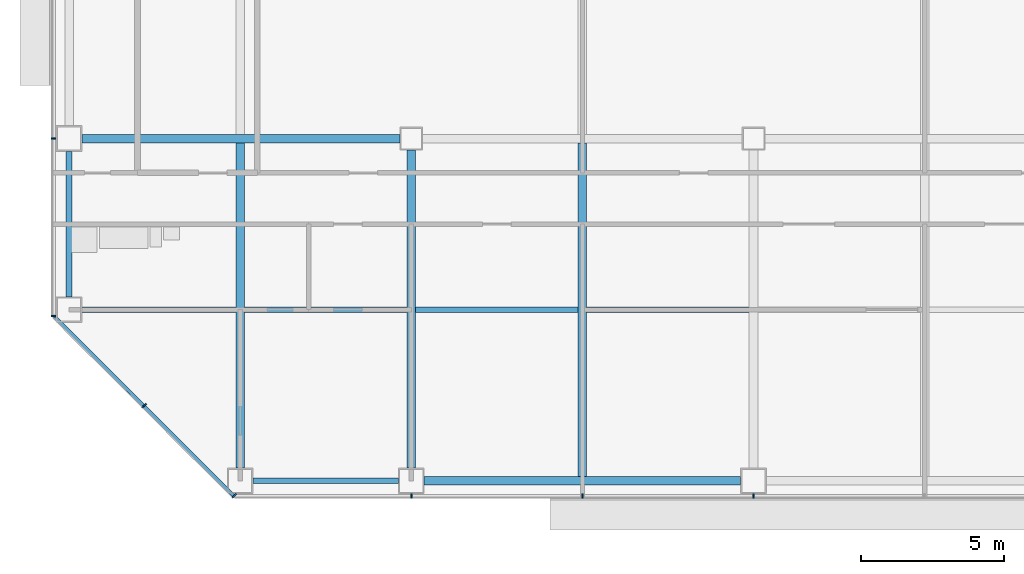
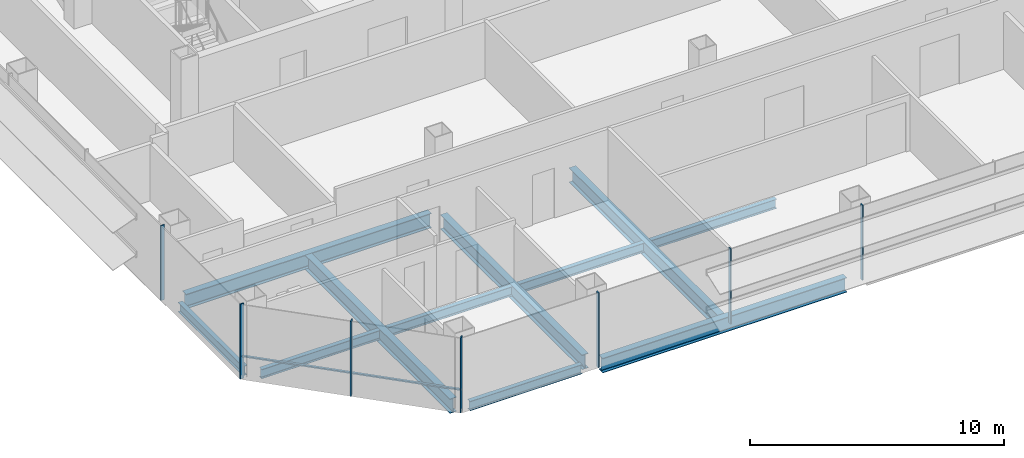
# One storey, part 2 of 27: 11 beams, 8 members, 3 elements without a shape of their own.
"""IFC4 building model written with IfcOpenShell, lengths in metres."""

from ifc_helpers import new_model, si_unit, direction, frame, origin, origin_2d, place, context, subcontext, project, spatial, rectangle, i_section, extrude, material, material_profile, profile_set, type_object, element, aggregate, save


model = new_model("IFC4")

# Units and contexts
model_context = context("Model", 3, precision=1e-05, world=origin(), true_north=direction((0.0, 1.0)))
body_context = subcontext(model_context, "Body", "Model", "MODEL_VIEW")
ifc_project = project(units=[si_unit("LENGTHUNIT", "METRE"), si_unit("AREAUNIT", "SQUARE_METRE"), si_unit("VOLUMEUNIT", "CUBIC_METRE"), si_unit("PLANEANGLEUNIT", "RADIAN"), si_unit("MASSUNIT", "GRAM", prefix="KILO")], contexts=[model_context])

# Site, building, storey
site_placement = place(None, origin())
site = spatial("IfcSite", under=ifc_project, at=site_placement, CompositionType="ELEMENT")
building_placement = place(site_placement, origin())
building = spatial("IfcBuilding", under=site, at=building_placement, Name="Sorahane Residences", CompositionType="ELEMENT")
storey_placement = place(building_placement, frame((0.0, 0.0, 57.0)))
storey = spatial("IfcBuildingStorey", under=building, at=storey_placement, Name="L10", CompositionType="ELEMENT", Elevation=57.0)

# Curtain wall, members
ifc_material_1 = material(Name="Dark low-e glass and black anodised aluminium", Category="aluminium")
curtain_wall_type_1 = type_object("IfcCurtainWallType", Name="Curtain wall CW-1 Typical unitised wall", PredefinedType="NOTDEFINED", material=ifc_material_1)
curtain_wall_1_placement = place(storey_placement, origin())
curtain_wall_1 = element("IfcCurtainWall", 1, at=curtain_wall_1_placement, inside=storey, type_object=curtain_wall_type_1, Name="CW-1 curtain wall L10 S1", PredefinedType="NOTDEFINED")
ifc_material_2 = material(Name="Black anodised aluminium", Category="aluminium")
ifc_material_profile_1 = material_profile(ifc_material_2, rectangle(XDim=0.159912109375, YDim=0.050048828125, at=origin_2d()), Name="Curtain wall mullion CW-1 black anodised aluminium 50x160")
ifc_profile_set_1 = profile_set([ifc_material_profile_1], Name="Black anodised aluminium")
member_type_1 = type_object("IfcMemberType", Name="Curtain wall mullion CW-1 black anodised aluminium 50x160", PredefinedType="MULLION", material=ifc_profile_set_1)
member_1_placement = place(storey_placement, frame((12.0, -0.5400390625, -0.179931640625), z_axis=(0.0, 0.0, 1.0), x_axis=(0.0, -1.0, 0.0)))
member_1 = element("IfcMember", 2, at=member_1_placement, type_object=member_type_1, Name="CW-1 mullion L10 S1.2", PredefinedType="MULLION", context=body_context, shape_type="SweptSolid", body=[
    extrude(rectangle(XDim=0.159912109375, YDim=0.050048828125, at=origin_2d()), origin(), (0.0, 0.0, 1.0), 3.599853515625),
])
member_2_placement = place(storey_placement, frame((18.0, -0.5400390625, -0.179931640625), z_axis=(0.0, 0.0, 1.0), x_axis=(0.0, -1.0, 0.0)))
member_2 = element("IfcMember", 3, at=member_2_placement, type_object=member_type_1, Name="CW-1 mullion L10 S1.3", PredefinedType="MULLION", context=body_context, shape_type="SweptSolid", body=[
    extrude(rectangle(XDim=0.159912109375, YDim=0.050048828125, at=origin_2d()), origin(), (0.0, 0.0, 1.0), 3.599853515625),
])
member_3_placement = place(storey_placement, frame((24.0, -0.5400390625, -0.179931640625), z_axis=(0.0, 0.0, 1.0), x_axis=(0.0, -1.0, 0.0)))
member_3 = element("IfcMember", 4, at=member_3_placement, type_object=member_type_1, Name="CW-1 mullion L10 S1.4", PredefinedType="MULLION", context=body_context, shape_type="SweptSolid", body=[
    extrude(rectangle(XDim=0.159912109375, YDim=0.050048828125, at=origin_2d()), origin(), (0.0, 0.0, 1.0), 3.599853515625),
])
aggregate(curtain_wall_1, [member_1, member_2, member_3])

curtain_wall_2_placement = place(storey_placement, origin())
curtain_wall_2 = element("IfcCurtainWall", 5, at=curtain_wall_2_placement, inside=storey, type_object=curtain_wall_type_1, Name="CW-1 curtain wall L10 W1", PredefinedType="NOTDEFINED")
member_4_placement = place(storey_placement, frame((-0.5400390625, 12.0, -0.179931640625), z_axis=(0.0, 0.0, 1.0), x_axis=(-1.0, 0.0, 0.0)))
member_4 = element("IfcMember", 6, at=member_4_placement, type_object=member_type_1, Name="CW-1 mullion L10 W1.6", PredefinedType="MULLION", context=body_context, shape_type="SweptSolid", body=[
    extrude(rectangle(XDim=0.159912109375, YDim=0.050048828125, at=origin_2d()), origin(), (0.0, 0.0, 1.0), 3.599853515625),
])
member_5_placement = place(storey_placement, frame((-0.5400390625, 5.7763671875, -0.179931640625), z_axis=(0.0, 0.0, 1.0), x_axis=(-1.0, 0.0, 0.0)))
member_5 = element("IfcMember", 7, at=member_5_placement, type_object=member_type_1, Name="CW-1 mullion L10 W1.7", PredefinedType="MULLION", context=body_context, shape_type="SweptSolid", body=[
    extrude(rectangle(XDim=0.159912109375, YDim=0.050048828125, at=origin_2d()), origin(), (0.0, 0.0, 1.0), 3.599853515625),
])
aggregate(curtain_wall_2, [member_4, member_5])

ifc_material_3 = material(Name="Dark low-e glass and black anodised aluminium", Category="aluminium")
curtain_wall_type_2 = type_object("IfcCurtainWallType", Name="Curtain wall CW-2 Chamfer unitised wall", PredefinedType="NOTDEFINED", material=ifc_material_3)
curtain_wall_3_placement = place(storey_placement, origin())
curtain_wall_3 = element("IfcCurtainWall", 8, at=curtain_wall_3_placement, inside=storey, type_object=curtain_wall_type_2, Name="CW-2 curtain wall L10 SW1", PredefinedType="NOTDEFINED")
ifc_material_4 = material(Name="Black anodised aluminium", Category="aluminium")
ifc_material_profile_2 = material_profile(ifc_material_4, rectangle(XDim=0.199951171875, YDim=0.050048828125, at=origin_2d()), Name="Curtain wall mullion CW-2 black anodised aluminium 50x200")
ifc_profile_set_2 = profile_set([ifc_material_profile_2], Name="Black anodised aluminium")
member_type_2 = type_object("IfcMemberType", Name="Curtain wall mullion CW-2 black anodised aluminium 50x200", PredefinedType="MULLION", material=ifc_profile_set_2)
member_6_placement = place(storey_placement, frame((2.63232421875, 2.63232421875, -0.179931640625), z_axis=(0.0, 0.0, 1.0), x_axis=(-0.707106781187, -0.707106781187, 0.0)))
member_6 = element("IfcMember", 9, at=member_6_placement, type_object=member_type_2, Name="CW-2 mullion L10 SW1.2", PredefinedType="MULLION", context=body_context, shape_type="SweptSolid", body=[
    extrude(rectangle(XDim=0.199951171875, YDim=0.050048828125, at=origin_2d()), origin(), (0.0, 0.0, 1.0), 3.599853515625),
])
member_7_placement = place(storey_placement, frame((5.790283203125, -0.525634765625, -0.179931640625), z_axis=(0.0, 0.0, 1.0), x_axis=(-0.707106781187, -0.707106781187, 0.0)))
member_7 = element("IfcMember", 10, at=member_7_placement, type_object=member_type_2, Name="CW-2 mullion L10 SW1.3", PredefinedType="MULLION", context=body_context, shape_type="SweptSolid", body=[
    extrude(rectangle(XDim=0.199951171875, YDim=0.050048828125, at=origin_2d()), origin(), (0.0, 0.0, 1.0), 3.599853515625),
])
ifc_material_5 = material(Name="Black anodised aluminium", Category="aluminium")
ifc_material_profile_3 = material_profile(ifc_material_5, rectangle(XDim=0.10009765625, YDim=0.06005859375, at=origin_2d()), Name="Curtain wall transom CW-2 black anodised aluminium 60x100")
ifc_profile_set_3 = profile_set([ifc_material_profile_3], Name="Black anodised aluminium")
member_type_3 = type_object("IfcMemberType", Name="Curtain wall transom CW-2 black anodised aluminium 60x100", PredefinedType="USERDEFINED", material=ifc_profile_set_3)
member_8_placement = place(storey_placement, frame((-0.51513671875, 5.765625, 0.89990234375), z_axis=(0.707106781187, -0.707106781187, 0.0), x_axis=(0.707106781187, 0.707106781187, 0.0)))
member_8 = element("IfcMember", 11, at=member_8_placement, type_object=member_type_3, Name="CW-2 transom L10 SW1", ObjectType="TRANSOM", PredefinedType="USERDEFINED", context=body_context, shape_type="SweptSolid", body=[
    extrude(rectangle(XDim=0.10009765625, YDim=0.06005859375, at=origin_2d()), origin(), (0.0, 0.0, 1.0), 8.88232421875),
])
aggregate(curtain_wall_3, [member_6, member_7, member_8])

# Beams
ifc_material_6 = material(Name="Steel Q355B", Category="steel")
ifc_material_profile_4 = material_profile(ifc_material_6, i_section(OverallWidth=0.199951171875, OverallDepth=0.449951171875, WebThickness=0.009033203125, FlangeThickness=0.013916015625, FilletRadius=0.02001953125, at=origin_2d()), Name="HN 450x200x9x14")
ifc_profile_set_4 = profile_set([ifc_material_profile_4], Name="Steel Q355B")
beam_type_1 = type_object("IfcBeamType", Name="Steel floor beam HN 450x200x9x14 Q355B", PredefinedType="BEAM", material=ifc_profile_set_4)
for number, where, z_axis, x_axis, name in (
    (12, (6.449951171875, 0.0, -0.405029296875), (1.0, 0.0, 0.0), (0.0, 1.0, 0.0), "Beam L10 000"),
    (13, (0.0, 6.449951171875, -0.405029296875), (0.0, 1.0, 0.0), (-1.0, 0.0, 0.0), "Beam L10 017"),
):
    element("IfcBeam", number, at=place(storey_placement, frame(where, z_axis=z_axis, x_axis=x_axis)), inside=storey, type_object=beam_type_1, Name=name, PredefinedType="BEAM", context=body_context, shape_type="SweptSolid", body=[
        extrude(i_section(OverallWidth=0.199951171875, OverallDepth=0.449951171875, WebThickness=0.009033203125, FlangeThickness=0.013916015625, FilletRadius=0.02001953125, at=origin_2d()), origin(), (0.0, 0.0, 1.0), 5.10009765625),
    ])
beam_1_placement = place(storey_placement, frame((0.449951171875, 6.0, -0.405029296875), z_axis=(1.0, 0.0, 0.0), x_axis=(0.0, 1.0, 0.0)))
element("IfcBeam", 14, at=beam_1_placement, inside=storey, type_object=beam_type_1, Name="Beam L10 061", PredefinedType="BEAM", context=body_context, shape_type="SweptSolid", body=[
    extrude(i_section(OverallWidth=0.199951171875, OverallDepth=0.449951171875, WebThickness=0.009033203125, FlangeThickness=0.013916015625, FilletRadius=0.02001953125, at=origin_2d()), origin(), (0.0, 0.0, 1.0), 5.400146484375),
])
for number, where, z_axis, x_axis, name in (
    (15, (6.14990234375, 6.0, -0.405029296875), (1.0, 0.0, 0.0), (0.0, 1.0, 0.0), "Beam L10 062"),
    (16, (12.14990234375, 6.0, -0.405029296875), (1.0, 0.0, 0.0), (0.0, 1.0, 0.0), "Beam L10 063"),
    (17, (18.14990234375, 6.0, -0.405029296875), (1.0, 0.0, 0.0), (0.0, 1.0, 0.0), "Beam L10 064"),
):
    element("IfcBeam", number, at=place(storey_placement, frame(where, z_axis=z_axis, x_axis=x_axis)), inside=storey, type_object=beam_type_1, Name=name, PredefinedType="BEAM", context=body_context, shape_type="SweptSolid", body=[
        extrude(i_section(OverallWidth=0.199951171875, OverallDepth=0.449951171875, WebThickness=0.009033203125, FlangeThickness=0.013916015625, FilletRadius=0.02001953125, at=origin_2d()), origin(), (0.0, 0.0, 1.0), 5.7001953125),
    ])
ifc_material_7 = material(Name="Steel Q355B", Category="steel")
ifc_material_profile_5 = material_profile(ifc_material_7, i_section(OverallWidth=0.300048828125, OverallDepth=0.699951171875, WebThickness=0.012939453125, FlangeThickness=0.02392578125, FilletRadius=0.028076171875, at=origin_2d()), Name="HN 700x300x13x24")
ifc_profile_set_5 = profile_set([ifc_material_profile_5], Name="Steel Q355B")
beam_type_2 = type_object("IfcBeamType", Name="Steel floor beam HN 700x300x13x24 Q355B", PredefinedType="BEAM", material=ifc_profile_set_5)
beam_2_placement = place(storey_placement, frame((12.449951171875, 0.0, -0.530029296875), z_axis=(1.0, 0.0, 0.0), x_axis=(0.0, 1.0, 0.0)))
element("IfcBeam", 18, at=beam_2_placement, inside=storey, type_object=beam_type_2, Name="Beam L10 001", PredefinedType="BEAM", context=body_context, shape_type="SweptSolid", body=[
    extrude(i_section(OverallWidth=0.300048828125, OverallDepth=0.699951171875, WebThickness=0.012939453125, FlangeThickness=0.02392578125, FilletRadius=0.028076171875, at=origin_2d()), origin(), (0.0, 0.0, 1.0), 11.10009765625),
])
beam_3_placement = place(storey_placement, frame((0.449951171875, 12.0, -0.530029296875), z_axis=(1.0, 0.0, 0.0), x_axis=(0.0, 1.0, 0.0)))
element("IfcBeam", 19, at=beam_3_placement, inside=storey, type_object=beam_type_2, Name="Beam L10 005", PredefinedType="BEAM", context=body_context, shape_type="SweptSolid", body=[
    extrude(i_section(OverallWidth=0.300048828125, OverallDepth=0.699951171875, WebThickness=0.012939453125, FlangeThickness=0.02392578125, FilletRadius=0.028076171875, at=origin_2d()), origin(), (0.0, 0.0, 1.0), 11.150146484375),
])
beam_4_placement = place(storey_placement, frame((6.0, 0.449951171875, -0.530029296875), z_axis=(0.0, 1.0, 0.0), x_axis=(-1.0, 0.0, 0.0)))
element("IfcBeam", 20, at=beam_4_placement, inside=storey, type_object=beam_type_2, Name="Beam L10 021", PredefinedType="BEAM", context=body_context, shape_type="SweptSolid", body=[
    extrude(i_section(OverallWidth=0.300048828125, OverallDepth=0.699951171875, WebThickness=0.012939453125, FlangeThickness=0.02392578125, FilletRadius=0.028076171875, at=origin_2d()), origin(), (0.0, 0.0, 1.0), 11.400146484375),
])
beam_5_placement = place(storey_placement, frame((12.0, 0.449951171875, -0.530029296875), z_axis=(0.0, 1.0, 0.0), x_axis=(-1.0, 0.0, 0.0)))
element("IfcBeam", 21, at=beam_5_placement, inside=storey, type_object=beam_type_2, Name="Beam L10 027", PredefinedType="BEAM", context=body_context, shape_type="SweptSolid", body=[
    extrude(i_section(OverallWidth=0.300048828125, OverallDepth=0.699951171875, WebThickness=0.012939453125, FlangeThickness=0.02392578125, FilletRadius=0.028076171875, at=origin_2d()), origin(), (0.0, 0.0, 1.0), 11.150146484375),
])
beam_6_placement = place(storey_placement, frame((18.0, 0.14990234375, -0.530029296875), z_axis=(0.0, 1.0, 0.0), x_axis=(-1.0, 0.0, 0.0)))
element("IfcBeam", 22, at=beam_6_placement, inside=storey, type_object=beam_type_2, Name="Beam L10 029", PredefinedType="BEAM", context=body_context, shape_type="SweptSolid", body=[
    extrude(i_section(OverallWidth=0.300048828125, OverallDepth=0.699951171875, WebThickness=0.012939453125, FlangeThickness=0.02392578125, FilletRadius=0.028076171875, at=origin_2d()), origin(), (0.0, 0.0, 1.0), 11.7001953125),
])

save(model, "model.ifc")
